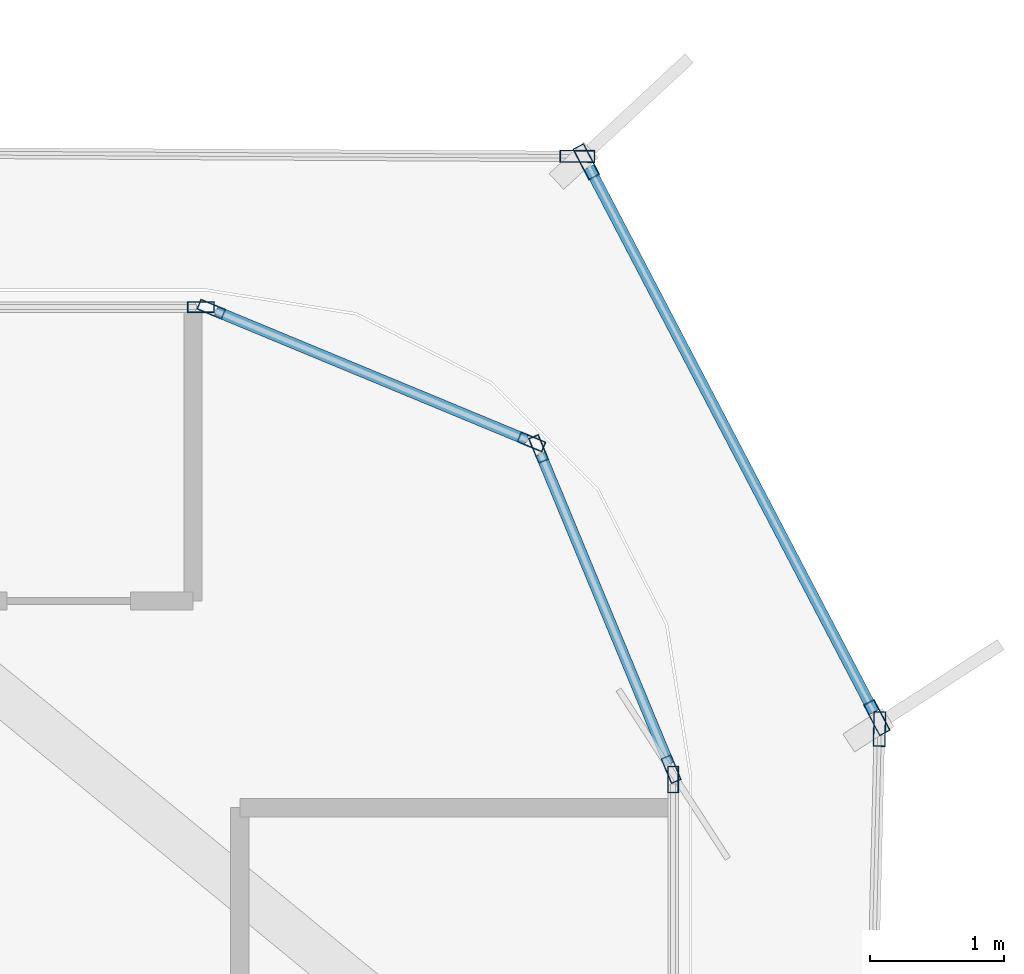
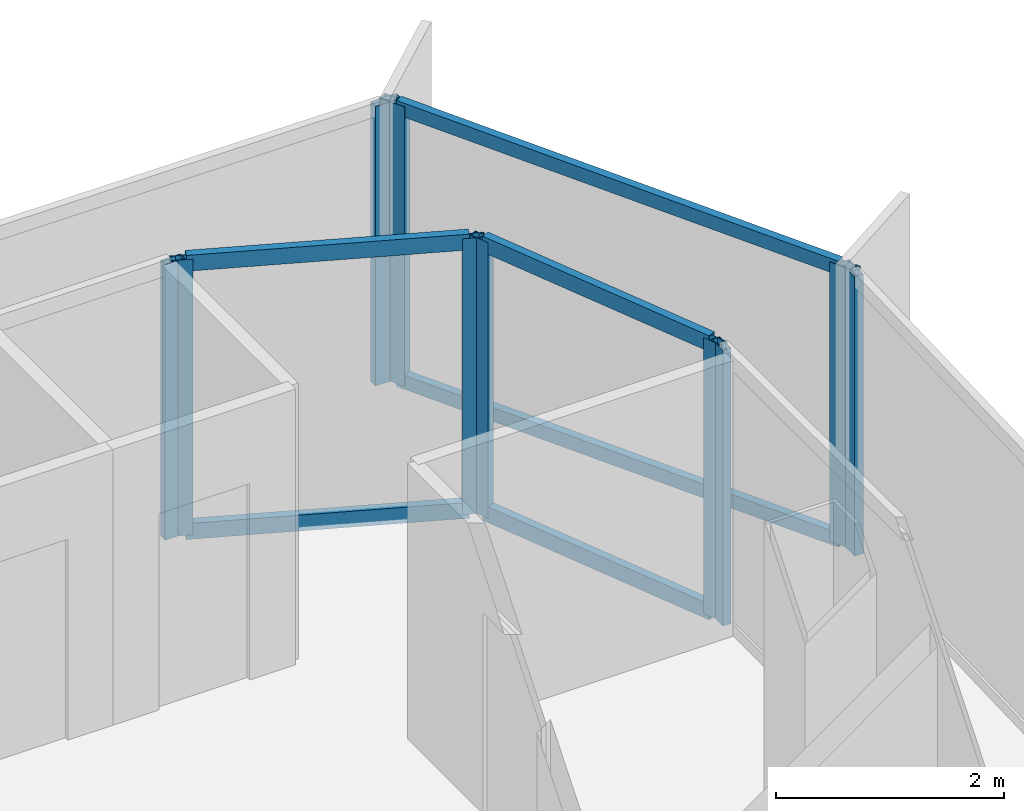
# One storey, part 8 of 15: 16 members, 7 elements without a shape of their own.
"""IFC4 building model written with IfcOpenShell, lengths in metres."""

from ifc_helpers import new_model, si_unit, direction, frame, origin, origin_2d, place, context, subcontext, project, spatial, hollow_rectangle, extrude, source, transform, mapped, material, layer, layer_set, material_profile, profile_set, type_object, element, aggregate, save


model = new_model("IFC4")

# Units and contexts
model_context = context("Model", 3, precision=1e-05, world=origin(), true_north=direction((0.0, 1.0)))
body_context = subcontext(model_context, "Body", "Model", "MODEL_VIEW")
ifc_project = project(units=[si_unit("LENGTHUNIT", "METRE"), si_unit("AREAUNIT", "SQUARE_METRE"), si_unit("VOLUMEUNIT", "CUBIC_METRE"), si_unit("PLANEANGLEUNIT", "RADIAN"), si_unit("MASSUNIT", "GRAM", prefix="KILO")], contexts=[model_context])

# Site, building, storey
site_placement = place(None, origin())
site = spatial("IfcSite", under=ifc_project, at=site_placement, CompositionType="ELEMENT")
building_placement = place(site_placement, origin())
building = spatial("IfcBuilding", under=site, at=building_placement, Name="Kolveth Station Tower", CompositionType="ELEMENT")
storey_placement = place(building_placement, frame((0.0, 0.0, 168.89990234375)))
storey = spatial("IfcBuildingStorey", under=building, at=storey_placement, Name="L47", CompositionType="ELEMENT", Elevation=168.89990234375)

# Curtain wall, member
ifc_material_1 = material(Name="Black anodized aluminium 6063-T6 and dark solar glass", Category="aluminium")
ifc_layer_1 = layer(ifc_material_1, 0.159912109375)
ifc_layer_set_1 = layer_set([ifc_layer_1], Name="Black anodized aluminium 6063-T6 and dark solar glass")
curtain_wall_type_1 = type_object("IfcCurtainWallType", Name="OUTER SKIN CW-OS", PredefinedType="NOTDEFINED", material=ifc_layer_set_1)
curtain_wall_1_placement = place(storey_placement, origin())
curtain_wall_1 = element("IfcCurtainWall", 1, at=curtain_wall_1_placement, inside=storey, type_object=curtain_wall_type_1, Name="L47 Outer Ventilated Skin Curtain Wall 2", PredefinedType="NOTDEFINED")
ifc_material_2 = material(Name="Black anodized aluminium 6063-T6", Category="aluminium")
ifc_material_profile_1 = material_profile(ifc_material_2, hollow_rectangle(XDim=0.090087890625, YDim=0.260009765625, WallThickness=0.0048828125, at=origin_2d()), Name="ALU-90x260x5")
ifc_profile_set_1 = profile_set([ifc_material_profile_1], Name="Black anodized aluminium 6063-T6")
member_type_1 = type_object("IfcMemberType", Name="FIN MULLION ML-OS", PredefinedType="MULLION", material=ifc_profile_set_1)
shared_shape_1 = source(origin(), body_context, "Body", "SweptSolid", [
    extrude(hollow_rectangle(XDim=0.090087890625, YDim=0.260009765625, WallThickness=0.0048828125, at=origin_2d()), origin(), (0.0, 0.0, 1.0), 2.989990234375),
])
member_1_placement = place(storey_placement, frame((43.217529296875, 32.036376953125, 0.0), z_axis=(0.0, 0.0, 1.0), x_axis=(-0.999708045637, 0.024162439612, 0.0)))
member_1 = element("IfcMember", 2, at=member_1_placement, type_object=member_type_1, Name="CW-OS mullion 2", PredefinedType="MULLION", context=body_context, shape_type="MappedRepresentation", body=[
    mapped(shared_shape_1, transform((0.0, 0.0, 0.0), x_axis=(1.0, 0.0, 0.0), y_axis=(0.0, 1.0, 0.0), z_axis=(0.0, 0.0, 1.0), scale=1.0)),
])
aggregate(curtain_wall_1, [member_1])

# Curtain wall, members
curtain_wall_2_placement = place(storey_placement, origin())
curtain_wall_2 = element("IfcCurtainWall", 3, at=curtain_wall_2_placement, inside=storey, type_object=curtain_wall_type_1, Name="L47 Outer Ventilated Skin Curtain Wall 3", PredefinedType="NOTDEFINED")
member_2_placement = place(storey_placement, frame((43.19775390625, 32.12109375, 0.0), z_axis=(0.0, 0.0, 1.0), x_axis=(-0.886196066147, -0.46331040604, 0.0)))
member_2 = element("IfcMember", 4, at=member_2_placement, type_object=member_type_1, Name="CW-OS mullion 1", PredefinedType="MULLION", context=body_context, shape_type="MappedRepresentation", body=[
    mapped(shared_shape_1, transform((0.0, 0.0, 0.0), x_axis=(1.0, 0.0, 0.0), y_axis=(0.0, 1.0, 0.0), z_axis=(0.0, 0.0, 1.0), scale=1.0)),
])
member_3_placement = place(storey_placement, frame((41.031982421875, 36.263671875, 0.0), z_axis=(0.0, 0.0, 1.0), x_axis=(-0.886196066147, -0.46331040604, 0.0)))
member_3 = element("IfcMember", 5, at=member_3_placement, type_object=member_type_1, Name="CW-OS mullion 2", PredefinedType="MULLION", context=body_context, shape_type="MappedRepresentation", body=[
    mapped(shared_shape_1, transform((0.0, 0.0, 0.0), x_axis=(1.0, 0.0, 0.0), y_axis=(0.0, 1.0, 0.0), z_axis=(0.0, 0.0, 1.0), scale=1.0)),
])

# Curtain wall, member
curtain_wall_3_placement = place(storey_placement, origin())
curtain_wall_3 = element("IfcCurtainWall", 6, at=curtain_wall_3_placement, inside=storey, type_object=curtain_wall_type_1, Name="L47 Outer Ventilated Skin Curtain Wall 4", PredefinedType="NOTDEFINED")
member_4_placement = place(storey_placement, frame((40.966064453125, 36.3037109375, 0.0), z_axis=(0.0, 0.0, 1.0), x_axis=(-0.005367968121, -0.999985592355, 0.0)))
member_4 = element("IfcMember", 7, at=member_4_placement, type_object=member_type_1, Name="CW-OS mullion 1", PredefinedType="MULLION", context=body_context, shape_type="MappedRepresentation", body=[
    mapped(shared_shape_1, transform((0.0, 0.0, 0.0), x_axis=(1.0, 0.0, 0.0), y_axis=(0.0, 1.0, 0.0), z_axis=(0.0, 0.0, 1.0), scale=1.0)),
])
aggregate(curtain_wall_3, [member_4])

ifc_material_3 = material(Name="Aluminium 6063-T6 and low-E dark glass", Category="aluminium")
ifc_layer_2 = layer(ifc_material_3, 0.18994140625)
ifc_layer_set_2 = layer_set([ifc_layer_2], Name="Aluminium 6063-T6 and low-E dark glass")
curtain_wall_type_2 = type_object("IfcCurtainWallType", Name="CurtainWall_CW-Z2", PredefinedType="NOTDEFINED", material=ifc_layer_set_2)
curtain_wall_4_placement = place(storey_placement, origin())
curtain_wall_4 = element("IfcCurtainWall", 8, at=curtain_wall_4_placement, inside=storey, type_object=curtain_wall_type_2, Name="L47 Inner Thermal Curtain Wall 3", PredefinedType="NOTDEFINED")
ifc_material_profile_2 = material_profile(ifc_material_2, hollow_rectangle(XDim=0.080078125, YDim=0.199951171875, WallThickness=0.0048828125, at=origin_2d()), Name="ALU-80x200x5")
ifc_profile_set_2 = profile_set([ifc_material_profile_2], Name="Black anodized aluminium 6063-T6")
member_type_2 = type_object("IfcMemberType", Name="Mullion_ML2", PredefinedType="MULLION", material=ifc_profile_set_2)
shared_shape_2 = source(origin(), body_context, "Body", "SweptSolid", [
    extrude(hollow_rectangle(XDim=0.080078125, YDim=0.199951171875, WallThickness=0.0048828125, at=origin_2d()), origin(), (0.0, 0.0, 1.0), 2.9501953125),
])
member_5_placement = place(storey_placement, frame((41.679931640625, 31.659912109375, 0.0), z_axis=(0.0, 0.0, 1.0), x_axis=(-1.0, 0.0, 0.0)))
member_5 = element("IfcMember", 9, at=member_5_placement, type_object=member_type_2, Name="CW-Z2 mullion 2", PredefinedType="MULLION", context=body_context, shape_type="MappedRepresentation", body=[
    mapped(shared_shape_2, transform((0.0, 0.0, 0.0), x_axis=(1.0, 0.0, 0.0), y_axis=(0.0, 1.0, 0.0), z_axis=(0.0, 0.0, 1.0), scale=1.0)),
])
aggregate(curtain_wall_4, [member_5])

# Curtain wall, members
curtain_wall_5_placement = place(storey_placement, origin())
curtain_wall_5 = element("IfcCurtainWall", 10, at=curtain_wall_5_placement, inside=storey, type_object=curtain_wall_type_2, Name="L47 Inner Thermal Curtain Wall 4", PredefinedType="NOTDEFINED")
member_6_placement = place(storey_placement, frame((41.664794921875, 31.737060546875, 0.0), z_axis=(0.0, 0.0, 1.0), x_axis=(-0.923873600544, -0.382697753087, 0.0)))
member_6 = element("IfcMember", 11, at=member_6_placement, type_object=member_type_2, Name="CW-Z2 mullion 1", PredefinedType="MULLION", context=body_context, shape_type="MappedRepresentation", body=[
    mapped(shared_shape_2, transform((0.0, 0.0, 0.0), x_axis=(1.0, 0.0, 0.0), y_axis=(0.0, 1.0, 0.0), z_axis=(0.0, 0.0, 1.0), scale=1.0)),
])
member_7_placement = place(storey_placement, frame((40.676025390625, 34.123779296875, 0.0), z_axis=(0.0, 0.0, 1.0), x_axis=(-0.923873600544, -0.382697753087, 0.0)))
member_7 = element("IfcMember", 12, at=member_7_placement, type_object=member_type_2, Name="CW-Z2 mullion 2", PredefinedType="MULLION", context=body_context, shape_type="MappedRepresentation", body=[
    mapped(shared_shape_2, transform((0.0, 0.0, 0.0), x_axis=(1.0, 0.0, 0.0), y_axis=(0.0, 1.0, 0.0), z_axis=(0.0, 0.0, 1.0), scale=1.0)),
])

curtain_wall_6_placement = place(storey_placement, origin())
curtain_wall_6 = element("IfcCurtainWall", 13, at=curtain_wall_6_placement, inside=storey, type_object=curtain_wall_type_2, Name="L47 Inner Thermal Curtain Wall 5", PredefinedType="NOTDEFINED")
member_8_placement = place(storey_placement, frame((40.623779296875, 34.176025390625, 0.0), z_axis=(0.0, 0.0, 1.0), x_axis=(-0.382697753087, -0.923873600544, 0.0)))
member_8 = element("IfcMember", 14, at=member_8_placement, type_object=member_type_2, Name="CW-Z2 mullion 1", PredefinedType="MULLION", context=body_context, shape_type="MappedRepresentation", body=[
    mapped(shared_shape_2, transform((0.0, 0.0, 0.0), x_axis=(1.0, 0.0, 0.0), y_axis=(0.0, 1.0, 0.0), z_axis=(0.0, 0.0, 1.0), scale=1.0)),
])
member_9_placement = place(storey_placement, frame((38.237060546875, 35.164794921875, 0.0), z_axis=(0.0, 0.0, 1.0), x_axis=(-0.382697753087, -0.923873600544, 0.0)))
member_9 = element("IfcMember", 15, at=member_9_placement, type_object=member_type_2, Name="CW-Z2 mullion 2", PredefinedType="MULLION", context=body_context, shape_type="MappedRepresentation", body=[
    mapped(shared_shape_2, transform((0.0, 0.0, 0.0), x_axis=(1.0, 0.0, 0.0), y_axis=(0.0, 1.0, 0.0), z_axis=(0.0, 0.0, 1.0), scale=1.0)),
])

# Curtain wall, member
curtain_wall_7_placement = place(storey_placement, origin())
curtain_wall_7 = element("IfcCurtainWall", 16, at=curtain_wall_7_placement, inside=storey, type_object=curtain_wall_type_2, Name="L47 Inner Thermal Curtain Wall 6", PredefinedType="NOTDEFINED")
member_10_placement = place(storey_placement, frame((38.159912109375, 35.179931640625, 0.0), z_axis=(0.0, 0.0, 1.0), x_axis=(0.0, -1.0, 0.0)))
member_10 = element("IfcMember", 17, at=member_10_placement, type_object=member_type_2, Name="CW-Z2 mullion 1", PredefinedType="MULLION", context=body_context, shape_type="MappedRepresentation", body=[
    mapped(shared_shape_2, transform((0.0, 0.0, 0.0), x_axis=(1.0, 0.0, 0.0), y_axis=(0.0, 1.0, 0.0), z_axis=(0.0, 0.0, 1.0), scale=1.0)),
])
aggregate(curtain_wall_7, [member_10])

# Member
ifc_material_profile_3 = material_profile(ifc_material_2, hollow_rectangle(XDim=0.080078125, YDim=0.169921875, WallThickness=0.0048828125, at=origin_2d()), Name="ALU-80x170x5")
ifc_profile_set_3 = profile_set([ifc_material_profile_3], Name="Black anodized aluminium 6063-T6")
member_type_3 = type_object("IfcMemberType", Name="Transom_TR2", PredefinedType="USERDEFINED", material=ifc_profile_set_3)
shared_shape_3 = source(origin(), body_context, "Body", "SweptSolid", [
    extrude(hollow_rectangle(XDim=0.080078125, YDim=0.169921875, WallThickness=0.0048828125, at=origin_2d()), origin(), (0.0, 0.0, 1.0), 2.50341796875),
])
member_11_placement = place(storey_placement, frame((41.6494140625, 31.77392578125, 0.0400390625), z_axis=(-0.382696328882, 0.923874190494, 0.0), x_axis=(-0.923874190494, -0.382696328882, 0.0)))
member_11 = element("IfcMember", 18, at=member_11_placement, type_object=member_type_3, Name="CW-Z2 transom 1.1", ObjectType="TRANSOM", PredefinedType="USERDEFINED", context=body_context, shape_type="MappedRepresentation", body=[
    mapped(shared_shape_3, transform((0.0, 0.0, 0.0), x_axis=(1.0, 0.0, 0.0), y_axis=(0.0, 1.0, 0.0), z_axis=(0.0, 0.0, 1.0), scale=1.0)),
])

member_12_placement = place(storey_placement, frame((41.6494140625, 31.77392578125, 2.91015625), z_axis=(-0.382696328882, 0.923874190494, 0.0), x_axis=(-0.923874190494, -0.382696328882, 0.0)))
member_12 = element("IfcMember", 19, at=member_12_placement, type_object=member_type_3, Name="CW-Z2 transom 1.2", ObjectType="TRANSOM", PredefinedType="USERDEFINED", context=body_context, shape_type="MappedRepresentation", body=[
    mapped(shared_shape_3, transform((0.0, 0.0, 0.0), x_axis=(1.0, 0.0, 0.0), y_axis=(0.0, 1.0, 0.0), z_axis=(0.0, 0.0, 1.0), scale=1.0)),
])

aggregate(curtain_wall_5, [member_6, member_7, member_11, member_12])

member_13_placement = place(storey_placement, frame((40.586669921875, 34.19140625, 0.0400390625), z_axis=(-0.923874190494, 0.382696328882, 0.0), x_axis=(-0.382696328882, -0.923874190494, 0.0)))
member_13 = element("IfcMember", 20, at=member_13_placement, type_object=member_type_3, Name="CW-Z2 transom 1.1", ObjectType="TRANSOM", PredefinedType="USERDEFINED", context=body_context, shape_type="MappedRepresentation", body=[
    mapped(shared_shape_3, transform((0.0, 0.0, 0.0), x_axis=(1.0, 0.0, 0.0), y_axis=(0.0, 1.0, 0.0), z_axis=(0.0, 0.0, 1.0), scale=1.0)),
])

member_14_placement = place(storey_placement, frame((40.586669921875, 34.19140625, 2.91015625), z_axis=(-0.923874190494, 0.382696328882, 0.0), x_axis=(-0.382696328882, -0.923874190494, 0.0)))
member_14 = element("IfcMember", 21, at=member_14_placement, type_object=member_type_3, Name="CW-Z2 transom 1.2", ObjectType="TRANSOM", PredefinedType="USERDEFINED", context=body_context, shape_type="MappedRepresentation", body=[
    mapped(shared_shape_3, transform((0.0, 0.0, 0.0), x_axis=(1.0, 0.0, 0.0), y_axis=(0.0, 1.0, 0.0), z_axis=(0.0, 0.0, 1.0), scale=1.0)),
])

aggregate(curtain_wall_6, [member_8, member_9, member_13, member_14])

ifc_material_profile_4 = material_profile(ifc_material_2, hollow_rectangle(XDim=0.080078125, YDim=0.14990234375, WallThickness=0.0048828125, at=origin_2d()), Name="ALU-80x150x5")
ifc_profile_set_4 = profile_set([ifc_material_profile_4], Name="Black anodized aluminium 6063-T6")
member_type_4 = type_object("IfcMemberType", Name="Transom_TR-OS", PredefinedType="USERDEFINED", material=ifc_profile_set_4)
shared_shape_4 = source(origin(), body_context, "Body", "SweptSolid", [
    extrude(hollow_rectangle(XDim=0.080078125, YDim=0.14990234375, WallThickness=0.0048828125, at=origin_2d()), origin(), (0.0, 0.0, 1.0), 4.584228515625),
])
member_15_placement = place(storey_placement, frame((43.1767578125, 32.1611328125, 0.0400390625), z_axis=(-0.463330257276, 0.886185687479, 0.0), x_axis=(-0.886185687479, -0.463330257276, 0.0)))
member_15 = element("IfcMember", 22, at=member_15_placement, type_object=member_type_4, Name="CW-OS transom 1.1", ObjectType="TRANSOM", PredefinedType="USERDEFINED", context=body_context, shape_type="MappedRepresentation", body=[
    mapped(shared_shape_4, transform((0.0, 0.0, 0.0), x_axis=(1.0, 0.0, 0.0), y_axis=(0.0, 1.0, 0.0), z_axis=(0.0, 0.0, 1.0), scale=1.0)),
])

member_16_placement = place(storey_placement, frame((43.1767578125, 32.1611328125, 2.9501953125), z_axis=(-0.463330257276, 0.886185687479, 0.0), x_axis=(-0.886185687479, -0.463330257276, 0.0)))
member_16 = element("IfcMember", 23, at=member_16_placement, type_object=member_type_4, Name="CW-OS transom 1.2", ObjectType="TRANSOM", PredefinedType="USERDEFINED", context=body_context, shape_type="MappedRepresentation", body=[
    mapped(shared_shape_4, transform((0.0, 0.0, 0.0), x_axis=(1.0, 0.0, 0.0), y_axis=(0.0, 1.0, 0.0), z_axis=(0.0, 0.0, 1.0), scale=1.0)),
])

aggregate(curtain_wall_2, [member_2, member_3, member_15, member_16])

save(model, "model.ifc")
